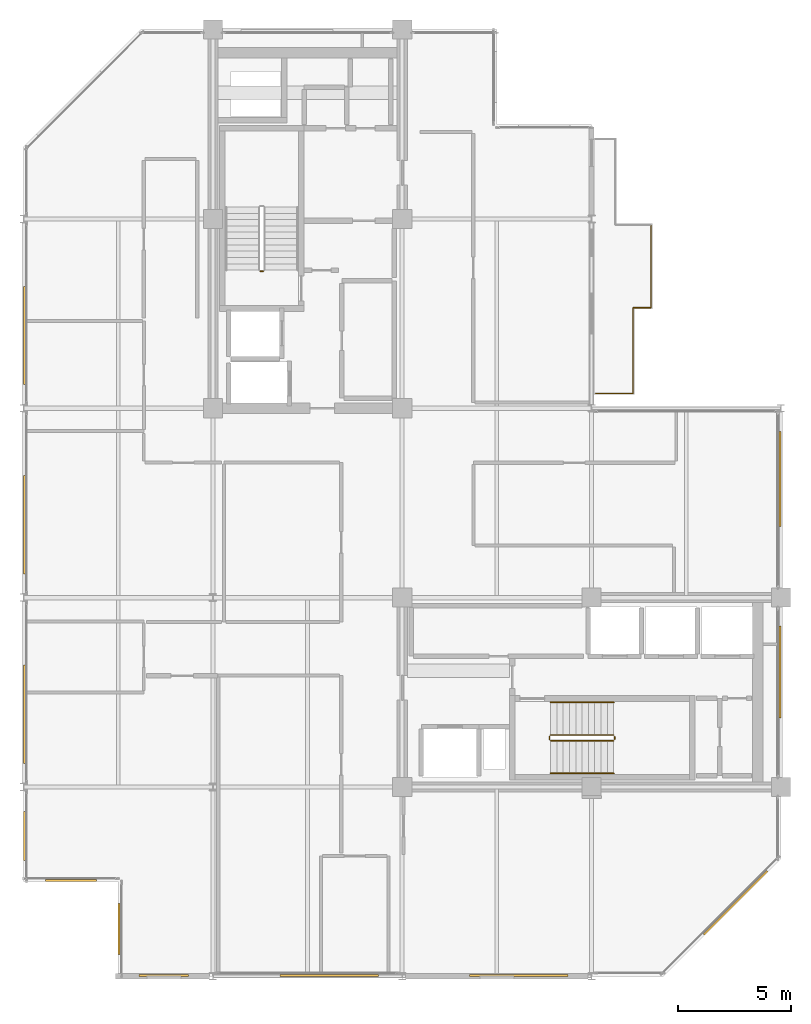
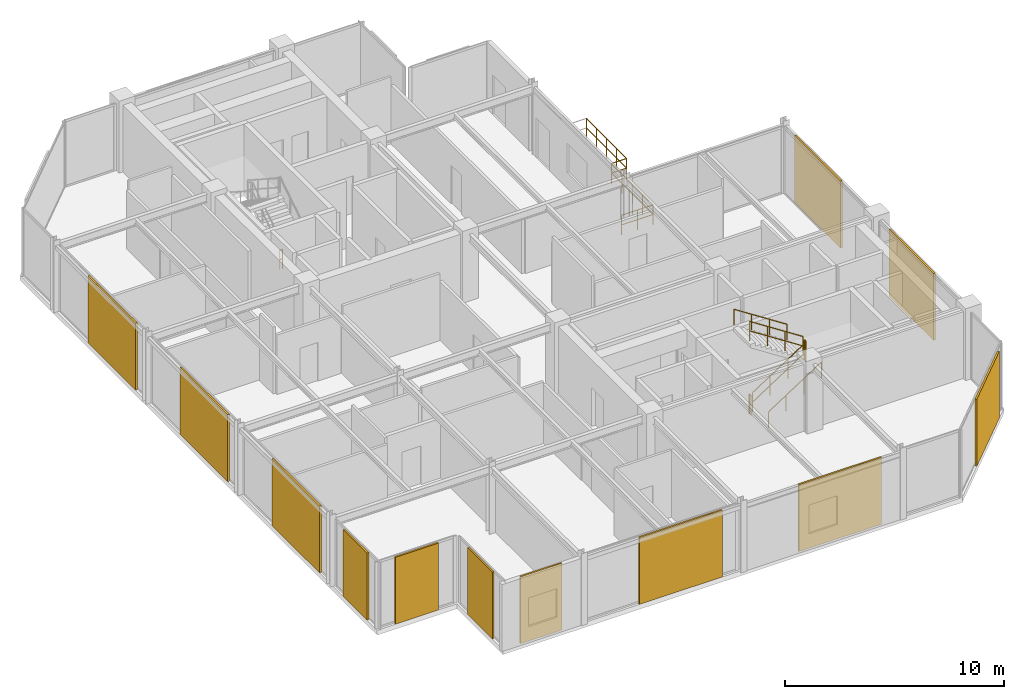
# One storey, part 23 of 24: 12 coverings, 11 railings.
"""IFC4 building model written with IfcOpenShell, lengths in metres."""

from ifc_helpers import new_model, si_unit, direction, frame, origin, origin_2d, place, context, subcontext, project, spatial, rectangle, circle, extrude, material, layer, layer_set, type_object, element, save


model = new_model("IFC4")

# Units and contexts
model_context = context("Model", 3, precision=1e-05, world=origin(), true_north=direction((0.0, 1.0)))
body_context = subcontext(model_context, "Body", "Model", "MODEL_VIEW")
ifc_project = project(units=[si_unit("LENGTHUNIT", "METRE"), si_unit("AREAUNIT", "SQUARE_METRE"), si_unit("VOLUMEUNIT", "CUBIC_METRE"), si_unit("PLANEANGLEUNIT", "RADIAN"), si_unit("MASSUNIT", "GRAM", prefix="KILO")], contexts=[model_context])

# Site, building, storey
site_placement = place(None, origin())
site = spatial("IfcSite", under=ifc_project, at=site_placement, CompositionType="ELEMENT")
building_placement = place(site_placement, origin())
building = spatial("IfcBuilding", under=site, at=building_placement, Name="Nerrivon Quay Data Exchange", CompositionType="ELEMENT")
storey_placement = place(building_placement, frame((0.0, 0.0, 310.199951171875)))
storey = spatial("IfcBuildingStorey", under=building, at=storey_placement, Name="L74", CompositionType="ELEMENT", Elevation=310.199951171875)

# Coverings
ifc_material_1 = material(Name="Architectural terracotta ceramic", Category="masonry")
ifc_layer = layer(ifc_material_1, 0.090087890625)
ifc_layer_set = layer_set([ifc_layer], Name="Architectural terracotta ceramic")
covering_type = type_object("IfcCoveringType", Name="COV-SCR-TERR", PredefinedType="CLADDING", material=ifc_layer_set)
covering_1_placement = place(storey_placement, frame((31.59228515625, 3.255859375, 0.0), z_axis=(0.0, 0.0, 1.0), x_axis=(-0.707106781187, -0.707106781187, 0.0)))
element("IfcCovering", 1, at=covering_1_placement, inside=storey, type_object=covering_type, Name="L74 Perforated Terracotta SOLAR SCREEN Cassette", PredefinedType="CLADDING", context=body_context, shape_type="SweptSolid", body=[
    extrude(rectangle(XDim=3.970947265625, YDim=0.090087890625, at=origin_2d()), origin(), (0.0, 0.0, 1.0), 3.72509765625),
])
for number, where, z_axis, x_axis, name in (
    (2, (21.970703125, 0.044921875, 0.0), (0.0, 0.0, 1.0), (-1.0, 0.0, 0.0), "L74 Perforated Terracotta SOLAR SCREEN Cassette"),
    (3, (13.57080078125, 0.044921875, 0.0), (0.0, 0.0, 1.0), (-1.0, 0.0, 0.0), "L74 Perforated Terracotta SOLAR SCREEN Cassette"),
):
    element("IfcCovering", number, at=place(storey_placement, frame(where, z_axis=z_axis, x_axis=x_axis)), inside=storey, type_object=covering_type, Name=name, PredefinedType="CLADDING", context=body_context, shape_type="SweptSolid", body=[
        extrude(rectangle(XDim=4.367919921875, YDim=0.090087890625, at=origin_2d()), origin(), (0.0, 0.0, 1.0), 3.72509765625),
    ])
covering_2_placement = place(storey_placement, frame((6.222412109375, 0.044921875, 0.0), z_axis=(0.0, 0.0, 1.0), x_axis=(-1.0, 0.0, 0.0)))
element("IfcCovering", 4, at=covering_2_placement, inside=storey, type_object=covering_type, Name="L74 Perforated Terracotta SOLAR SCREEN Cassette", PredefinedType="CLADDING", context=body_context, shape_type="SweptSolid", body=[
    extrude(rectangle(XDim=2.18408203125, YDim=0.090087890625, at=origin_2d()), origin(), (0.0, 0.0, 1.0), 3.72509765625),
])
for number, where, z_axis, x_axis, name in (
    (5, (4.2451171875, 2.10009765625, 0.0), (0.0, 0.0, 1.0), (0.0, 1.0, 0.0), "L74 Perforated Terracotta SOLAR SCREEN Cassette"),
    (6, (2.10009765625, 4.2451171875, 0.0), (0.0, 0.0, 1.0), (-1.0, 0.0, 0.0), "L74 Perforated Terracotta SOLAR SCREEN Cassette"),
):
    element("IfcCovering", number, at=place(storey_placement, frame(where, z_axis=z_axis, x_axis=x_axis)), inside=storey, type_object=covering_type, Name=name, PredefinedType="CLADDING", context=body_context, shape_type="SweptSolid", body=[
        extrude(rectangle(XDim=2.26806640625, YDim=0.090087890625, at=origin_2d()), origin(), (0.0, 0.0, 1.0), 3.72509765625),
    ])
covering_3_placement = place(storey_placement, frame((0.044921875, 6.21826171875, 0.0), z_axis=(0.0, 0.0, 1.0), x_axis=(0.0, 1.0, 0.0)))
element("IfcCovering", 7, at=covering_3_placement, inside=storey, type_object=covering_type, Name="L74 Perforated Terracotta SOLAR SCREEN Cassette", PredefinedType="CLADDING", context=body_context, shape_type="SweptSolid", body=[
    extrude(rectangle(XDim=2.179931640625, YDim=0.090087890625, at=origin_2d()), origin(), (0.0, 0.0, 1.0), 3.72509765625),
])
for number, where, z_axis, x_axis, name in (
    (8, (0.044921875, 11.631103515625, 0.0), (0.0, 0.0, 1.0), (0.0, 1.0, 0.0), "L74 Perforated Terracotta SOLAR SCREEN Cassette"),
    (9, (0.044921875, 20.03125, 0.0), (0.0, 0.0, 1.0), (0.0, 1.0, 0.0), "L74 Perforated Terracotta SOLAR SCREEN Cassette"),
    (10, (0.044921875, 28.43115234375, 0.0), (0.0, 0.0, 1.0), (0.0, 1.0, 0.0), "L74 Perforated Terracotta SOLAR SCREEN Cassette"),
):
    element("IfcCovering", number, at=place(storey_placement, frame(where, z_axis=z_axis, x_axis=x_axis)), inside=storey, type_object=covering_type, Name=name, PredefinedType="CLADDING", context=body_context, shape_type="SweptSolid", body=[
        extrude(rectangle(XDim=4.35888671875, YDim=0.090087890625, at=origin_2d()), origin(), (0.0, 0.0, 1.0), 3.72509765625),
    ])
covering_4_placement = place(storey_placement, frame((33.554931640625, 22.068115234375, 0.0), z_axis=(0.0, 0.0, 1.0), x_axis=(0.0, -1.0, 0.0)))
element("IfcCovering", 11, at=covering_4_placement, inside=storey, type_object=covering_type, Name="L74 Perforated Terracotta SOLAR SCREEN Cassette", PredefinedType="CLADDING", context=body_context, shape_type="SweptSolid", body=[
    extrude(rectangle(XDim=4.218017578125, YDim=0.090087890625, at=origin_2d()), origin(), (0.0, 0.0, 1.0), 3.72509765625),
])
covering_5_placement = place(storey_placement, frame((33.554931640625, 13.506103515625, 0.0), z_axis=(0.0, 0.0, 1.0), x_axis=(0.0, -1.0, 0.0)))
element("IfcCovering", 12, at=covering_5_placement, inside=storey, type_object=covering_type, Name="L74 Perforated Terracotta SOLAR SCREEN Cassette", PredefinedType="CLADDING", context=body_context, shape_type="SweptSolid", body=[
    extrude(rectangle(XDim=4.076904296875, YDim=0.090087890625, at=origin_2d()), origin(), (0.0, 0.0, 1.0), 3.72509765625),
])

# Railings
ifc_material_2 = material(Name="Steel Grade C350L0 (350 MPa)", Category="steel")
railing_type_1 = type_object("IfcRailingType", Name="RAIL-GUARD-GR2", PredefinedType="BALUSTRADE", material=ifc_material_2)
railing_1_placement = place(storey_placement, frame((27.0400390625, 29.659912109375, 0.0)))
element("IfcRailing", 13, at=railing_1_placement, inside=storey, type_object=railing_type_1, Name="L74 Verandah Balcony Guard 1.1 1", PredefinedType="BALUSTRADE", context=body_context, shape_type="SweptSolid", body=[
    extrude(circle(Radius=0.02392578125, at=origin_2d()), frame((0.0, 0.0, 1.09619140625), z_axis=(0.0, -1.0, 0.0), x_axis=(1.0, 0.0, 0.0)), (0.0, 0.0, 1.0), 3.7998046875),
    extrude(circle(Radius=0.02392578125, at=origin_2d()), frame((0.0, 0.0, 0.56005859375), z_axis=(0.0, -1.0, 0.0), x_axis=(1.0, 0.0, 0.0)), (0.0, 0.0, 1.0), 3.7998046875),
    extrude(circle(Radius=0.02099609375, at=origin_2d()), origin(), (0.0, 0.0, 1.0), 1.072021484375),
    extrude(circle(Radius=0.02099609375, at=origin_2d()), frame((0.0, -0.949951171875, 0.0)), (0.0, 0.0, 1.0), 1.072021484375),
    extrude(circle(Radius=0.02099609375, at=origin_2d()), frame((0.0, -1.89990234375, 0.0)), (0.0, 0.0, 1.0), 1.072021484375),
    extrude(circle(Radius=0.02099609375, at=origin_2d()), frame((0.0, -2.849853515625, 0.0)), (0.0, 0.0, 1.0), 1.072021484375),
    extrude(circle(Radius=0.02099609375, at=origin_2d()), frame((0.0, -3.7998046875, 0.0)), (0.0, 0.0, 1.0), 1.072021484375),
])
railing_2_placement = place(storey_placement, frame((27.0400390625, 25.860107421875, 0.0)))
element("IfcRailing", 14, at=railing_2_placement, inside=storey, type_object=railing_type_1, Name="L74 Verandah Balcony Guard 1.2 1", PredefinedType="BALUSTRADE", context=body_context, shape_type="SweptSolid", body=[
    extrude(circle(Radius=0.02392578125, at=origin_2d()), frame((0.0, 0.0, 1.09619140625), z_axis=(-1.0, 0.0, 0.0), x_axis=(0.0, -1.0, 0.0)), (0.0, 0.0, 1.0), 1.66015625),
    extrude(circle(Radius=0.02392578125, at=origin_2d()), frame((0.0, 0.0, 0.56005859375), z_axis=(-1.0, 0.0, 0.0), x_axis=(0.0, -1.0, 0.0)), (0.0, 0.0, 1.0), 1.66015625),
    extrude(circle(Radius=0.02099609375, at=origin_2d()), origin(), (0.0, 0.0, 1.0), 1.072021484375),
    extrude(circle(Radius=0.02099609375, at=origin_2d()), frame((-0.830078125, 0.0, 0.0)), (0.0, 0.0, 1.0), 1.072021484375),
    extrude(circle(Radius=0.02099609375, at=origin_2d()), frame((-1.66015625, 0.0, 0.0)), (0.0, 0.0, 1.0), 1.072021484375),
])
railing_3_placement = place(storey_placement, frame((27.840087890625, 33.340087890625, 0.0)))
element("IfcRailing", 15, at=railing_3_placement, inside=storey, type_object=railing_type_1, Name="L74 Verandah Balcony Guard 1.6 1", PredefinedType="BALUSTRADE", context=body_context, shape_type="SweptSolid", body=[
    extrude(circle(Radius=0.02392578125, at=origin_2d()), frame((0.0, 0.0, 1.09619140625), z_axis=(0.0, -1.0, 0.0), x_axis=(1.0, 0.0, 0.0)), (0.0, 0.0, 1.0), 3.68017578125),
    extrude(circle(Radius=0.02392578125, at=origin_2d()), frame((0.0, 0.0, 0.56005859375), z_axis=(0.0, -1.0, 0.0), x_axis=(1.0, 0.0, 0.0)), (0.0, 0.0, 1.0), 3.68017578125),
    extrude(circle(Radius=0.02099609375, at=origin_2d()), origin(), (0.0, 0.0, 1.0), 1.072021484375),
    extrude(circle(Radius=0.02099609375, at=origin_2d()), frame((0.0, -0.919921875, 0.0)), (0.0, 0.0, 1.0), 1.072021484375),
    extrude(circle(Radius=0.02099609375, at=origin_2d()), frame((0.0, -1.840087890625, 0.0)), (0.0, 0.0, 1.0), 1.072021484375),
    extrude(circle(Radius=0.02099609375, at=origin_2d()), frame((0.0, -2.76025390625, 0.0)), (0.0, 0.0, 1.0), 1.072021484375),
    extrude(circle(Radius=0.02099609375, at=origin_2d()), frame((0.0, -3.68017578125, 0.0)), (0.0, 0.0, 1.0), 1.072021484375),
])
railing_4_placement = place(storey_placement, frame((27.840087890625, 29.659912109375, 0.0)))
element("IfcRailing", 16, at=railing_4_placement, inside=storey, type_object=railing_type_1, Name="L74 Verandah Balcony Guard 1.7 1", PredefinedType="BALUSTRADE", context=body_context, shape_type="SweptSolid", body=[
    extrude(circle(Radius=0.02392578125, at=origin_2d()), frame((0.0, 0.0, 1.09619140625), z_axis=(-1.0, 0.0, 0.0), x_axis=(0.0, -1.0, 0.0)), (0.0, 0.0, 1.0), 0.800048828125),
    extrude(circle(Radius=0.02392578125, at=origin_2d()), frame((0.0, 0.0, 0.56005859375), z_axis=(-1.0, 0.0, 0.0), x_axis=(0.0, -1.0, 0.0)), (0.0, 0.0, 1.0), 0.800048828125),
    extrude(circle(Radius=0.02099609375, at=origin_2d()), origin(), (0.0, 0.0, 1.0), 1.072021484375),
    extrude(circle(Radius=0.02099609375, at=origin_2d()), frame((-0.800048828125, 0.0, 0.0)), (0.0, 0.0, 1.0), 1.072021484375),
])
railing_type_2 = type_object("IfcRailingType", Name="RAIL-HAND-HR1", PredefinedType="HANDRAIL", material=ifc_material_2)
railing_5_placement = place(storey_placement, frame((23.3798828125, 9.0, 0.181884765625)))
element("IfcRailing", 17, at=railing_5_placement, inside=storey, type_object=railing_type_2, Name="L74 ST02 stair handrail 1", PredefinedType="HANDRAIL", context=body_context, shape_type="SweptSolid", body=[
    extrude(circle(Radius=0.02392578125, at=origin_2d()), frame((0.0, 0.0, 0.8759765625), z_axis=(0.838705829183, 0.0, 0.544584733623), x_axis=(0.0, 1.0, 0.0)), (0.0, 0.0, 1.0), 3.338623046875),
    extrude(circle(Radius=0.02099609375, at=origin_2d()), origin(), (0.0, 0.0, 1.0), 0.851806640625),
    extrude(circle(Radius=0.02099609375, at=origin_2d()), frame((0.933349609375, 0.0, 0.60595703125)), (0.0, 0.0, 1.0), 0.851806640625),
    extrude(circle(Radius=0.02099609375, at=origin_2d()), frame((1.86669921875, 0.0, 1.212158203125)), (0.0, 0.0, 1.0), 0.851806640625),
    extrude(circle(Radius=0.02099609375, at=origin_2d()), frame((2.800048828125, 0.0, 1.818115234375)), (0.0, 0.0, 1.0), 0.851806640625),
])
railing_6_placement = place(storey_placement, frame((26.179931640625, 12.14990234375, 2.181884765625)))
element("IfcRailing", 18, at=railing_6_placement, inside=storey, type_object=railing_type_2, Name="L74 ST02 stair handrail 2", PredefinedType="HANDRAIL", context=body_context, shape_type="SweptSolid", body=[
    extrude(circle(Radius=0.02392578125, at=origin_2d()), frame((0.0, 0.0, 0.8759765625), z_axis=(-0.838705829183, 0.0, 0.544584733623), x_axis=(0.0, -1.0, 0.0)), (0.0, 0.0, 1.0), 3.338623046875),
    extrude(circle(Radius=0.02099609375, at=origin_2d()), origin(), (0.0, 0.0, 1.0), 0.851806640625),
    extrude(circle(Radius=0.02099609375, at=origin_2d()), frame((-0.933349609375, 0.0, 0.60595703125)), (0.0, 0.0, 1.0), 0.851806640625),
    extrude(circle(Radius=0.02099609375, at=origin_2d()), frame((-1.86669921875, 0.0, 1.212158203125)), (0.0, 0.0, 1.0), 0.851806640625),
    extrude(circle(Radius=0.02099609375, at=origin_2d()), frame((-2.800048828125, 0.0, 1.818115234375)), (0.0, 0.0, 1.0), 0.851806640625),
])
railing_type_3 = type_object("IfcRailingType", Name="RAIL-STAIR-GR1", PredefinedType="BALUSTRADE", material=ifc_material_2)
railing_7_placement = place(storey_placement, frame((10.64990234375, 31.280029296875, 0.0)))
element("IfcRailing", 19, at=railing_7_placement, inside=storey, type_object=railing_type_3, Name="L74 ST01 stair guard 4", PredefinedType="BALUSTRADE", context=body_context, shape_type="SweptSolid", body=[
    extrude(circle(Radius=0.02392578125, at=origin_2d()), frame((0.0, 0.0, 1.076171875), z_axis=(-1.0, 0.0, 0.0), x_axis=(0.0, -1.0, 0.0)), (0.0, 0.0, 1.0), 0.14990234375),
    extrude(circle(Radius=0.02392578125, at=origin_2d()), frame((0.0, 0.0, 0.550048828125), z_axis=(-1.0, 0.0, 0.0), x_axis=(0.0, -1.0, 0.0)), (0.0, 0.0, 1.0), 0.14990234375),
    extrude(circle(Radius=0.02099609375, at=origin_2d()), origin(), (0.0, 0.0, 1.0), 1.052001953125),
    extrude(circle(Radius=0.02099609375, at=origin_2d()), frame((-0.14990234375, 0.0, 0.0)), (0.0, 0.0, 1.0), 1.052001953125),
])
railing_8_placement = place(storey_placement, frame((23.3798828125, 10.449951171875, 0.181884765625)))
element("IfcRailing", 20, at=railing_8_placement, inside=storey, type_object=railing_type_3, Name="L74 ST02 stair guard 1", PredefinedType="BALUSTRADE", context=body_context, shape_type="SweptSolid", body=[
    extrude(circle(Radius=0.02392578125, at=origin_2d()), frame((0.0, 0.0, 1.076171875), z_axis=(0.838705829183, 0.0, 0.544584733623), x_axis=(0.0, 1.0, 0.0)), (0.0, 0.0, 1.0), 3.338623046875),
    extrude(circle(Radius=0.02392578125, at=origin_2d()), frame((0.0, 0.0, 0.550048828125), z_axis=(0.838705829183, 0.0, 0.544584733623), x_axis=(0.0, 1.0, 0.0)), (0.0, 0.0, 1.0), 3.338623046875),
    extrude(circle(Radius=0.02099609375, at=origin_2d()), origin(), (0.0, 0.0, 1.0), 1.052001953125),
    extrude(circle(Radius=0.02099609375, at=origin_2d()), frame((0.933349609375, 0.0, 0.60595703125)), (0.0, 0.0, 1.0), 1.052001953125),
    extrude(circle(Radius=0.02099609375, at=origin_2d()), frame((1.86669921875, 0.0, 1.212158203125)), (0.0, 0.0, 1.0), 1.052001953125),
    extrude(circle(Radius=0.02099609375, at=origin_2d()), frame((2.800048828125, 0.0, 1.818115234375)), (0.0, 0.0, 1.0), 1.052001953125),
])
railing_9_placement = place(storey_placement, frame((26.22998046875, 10.5, 2.0)))
element("IfcRailing", 21, at=railing_9_placement, inside=storey, type_object=railing_type_3, Name="L74 ST02 stair guard 2", PredefinedType="BALUSTRADE", context=body_context, shape_type="SweptSolid", body=[
    extrude(circle(Radius=0.02392578125, at=origin_2d()), frame((0.0, 0.0, 1.076171875), z_axis=(0.0, 1.0, 0.0), x_axis=(-1.0, 0.0, 0.0)), (0.0, 0.0, 1.0), 0.14990234375),
    extrude(circle(Radius=0.02392578125, at=origin_2d()), frame((0.0, 0.0, 0.550048828125), z_axis=(0.0, 1.0, 0.0), x_axis=(-1.0, 0.0, 0.0)), (0.0, 0.0, 1.0), 0.14990234375),
    extrude(circle(Radius=0.02099609375, at=origin_2d()), origin(), (0.0, 0.0, 1.0), 1.052001953125),
    extrude(circle(Radius=0.02099609375, at=origin_2d()), frame((0.0, 0.14990234375, 0.0)), (0.0, 0.0, 1.0), 1.052001953125),
])
railing_10_placement = place(storey_placement, frame((26.179931640625, 10.699951171875, 2.181884765625)))
element("IfcRailing", 22, at=railing_10_placement, inside=storey, type_object=railing_type_3, Name="L74 ST02 stair guard 3", PredefinedType="BALUSTRADE", context=body_context, shape_type="SweptSolid", body=[
    extrude(circle(Radius=0.02392578125, at=origin_2d()), frame((0.0, 0.0, 1.076171875), z_axis=(-0.838705829183, 0.0, 0.544584733623), x_axis=(0.0, -1.0, 0.0)), (0.0, 0.0, 1.0), 3.338623046875),
    extrude(circle(Radius=0.02392578125, at=origin_2d()), frame((0.0, 0.0, 0.550048828125), z_axis=(-0.838705829183, 0.0, 0.544584733623), x_axis=(0.0, -1.0, 0.0)), (0.0, 0.0, 1.0), 3.338623046875),
    extrude(circle(Radius=0.02099609375, at=origin_2d()), origin(), (0.0, 0.0, 1.0), 1.052001953125),
    extrude(circle(Radius=0.02099609375, at=origin_2d()), frame((-0.933349609375, 0.0, 0.60595703125)), (0.0, 0.0, 1.0), 1.052001953125),
    extrude(circle(Radius=0.02099609375, at=origin_2d()), frame((-1.86669921875, 0.0, 1.212158203125)), (0.0, 0.0, 1.0), 1.052001953125),
    extrude(circle(Radius=0.02099609375, at=origin_2d()), frame((-2.800048828125, 0.0, 1.818115234375)), (0.0, 0.0, 1.0), 1.052001953125),
])
railing_11_placement = place(storey_placement, frame((23.330078125, 10.5, 0.0)))
element("IfcRailing", 23, at=railing_11_placement, inside=storey, type_object=railing_type_3, Name="L74 ST02 stair guard 4", PredefinedType="BALUSTRADE", context=body_context, shape_type="SweptSolid", body=[
    extrude(circle(Radius=0.02392578125, at=origin_2d()), frame((0.0, 0.0, 1.076171875), z_axis=(0.0, 1.0, 0.0), x_axis=(-1.0, 0.0, 0.0)), (0.0, 0.0, 1.0), 0.14990234375),
    extrude(circle(Radius=0.02392578125, at=origin_2d()), frame((0.0, 0.0, 0.550048828125), z_axis=(0.0, 1.0, 0.0), x_axis=(-1.0, 0.0, 0.0)), (0.0, 0.0, 1.0), 0.14990234375),
    extrude(circle(Radius=0.02099609375, at=origin_2d()), origin(), (0.0, 0.0, 1.0), 1.052001953125),
    extrude(circle(Radius=0.02099609375, at=origin_2d()), frame((0.0, 0.14990234375, 0.0)), (0.0, 0.0, 1.0), 1.052001953125),
])

save(model, "model.ifc")
